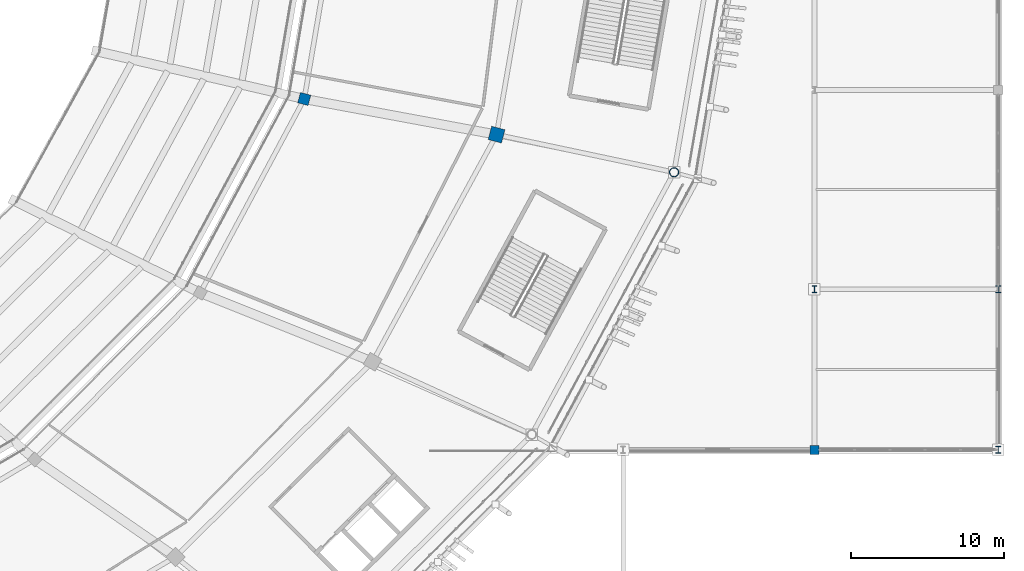
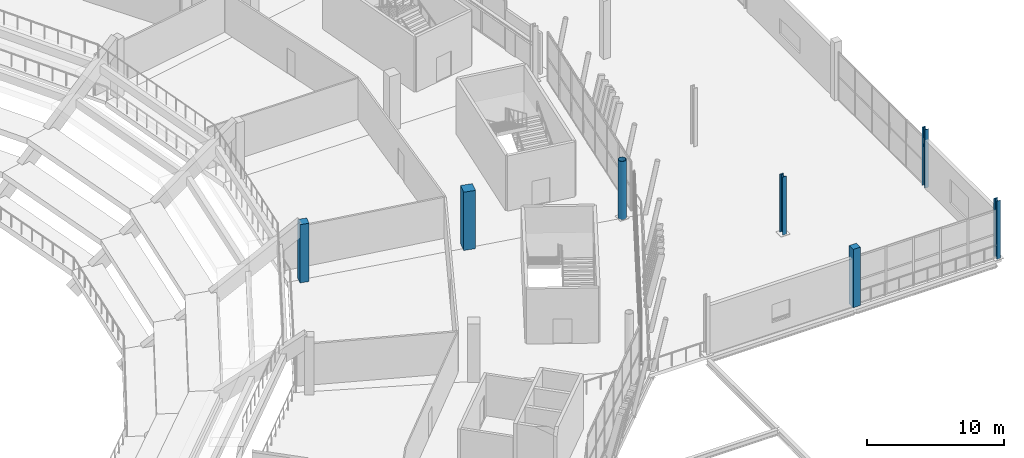
# One storey, part 14 of 178: 7 columns.
"""IFC4 building model written with IfcOpenShell, lengths in metres."""

from ifc_helpers import new_model, si_unit, direction, frame, origin, origin_2d, place, context, subcontext, project, spatial, rectangle, hollow_circle, i_section, extrude, material, material_profile, profile_set, type_object, element, save


model = new_model("IFC4")

# Units and contexts
model_context = context("Model", 3, precision=1e-05, world=origin(), true_north=direction((0.0, 1.0)))
body_context = subcontext(model_context, "Body", "Model", "MODEL_VIEW")
ifc_project = project(units=[si_unit("LENGTHUNIT", "METRE"), si_unit("AREAUNIT", "SQUARE_METRE"), si_unit("VOLUMEUNIT", "CUBIC_METRE"), si_unit("PLANEANGLEUNIT", "RADIAN"), si_unit("MASSUNIT", "GRAM", prefix="KILO")], contexts=[model_context])

# Site, building, storey
site_placement = place(None, origin())
site = spatial("IfcSite", under=ifc_project, at=site_placement, CompositionType="ELEMENT")
building_placement = place(site_placement, origin())
building = spatial("IfcBuilding", under=site, at=building_placement, Name="Zlatoyarsky Gate Stadium", CompositionType="ELEMENT")
storey_placement = place(building_placement, frame((0.0, 0.0, 5.39990234375)))
storey = spatial("IfcBuildingStorey", under=building, at=storey_placement, Name="L01", CompositionType="ELEMENT", Elevation=5.39990234375)

# Columns
ifc_material_1 = material(Name="Concrete C40/50", Category="concrete")
ifc_material_profile_1 = material_profile(ifc_material_1, rectangle(XDim=0.60009765625, YDim=0.60009765625, at=origin_2d()), Name="RC COL 600X600")
ifc_profile_set_1 = profile_set([ifc_material_profile_1], Name="Concrete C40/50")
column_type_1 = type_object("IfcColumnType", Name="CONCRETE COLUMN 600X600", PredefinedType="COLUMN", material=ifc_profile_set_1)
column_1_placement = place(storey_placement, frame((210.0, 43.5, 0.0), z_axis=(0.0, 0.0, 1.0), x_axis=(1.0, 0.0, 0.0)))
element("IfcColumn", 1, at=column_1_placement, inside=storey, type_object=column_type_1, Name="Column RC-C60 WG-18-E on L01", PredefinedType="COLUMN", context=body_context, shape_type="SweptSolid", body=[
    extrude(rectangle(XDim=0.60009765625, YDim=0.60009765625, at=origin_2d()), origin(), (0.0, 0.0, 1.0), 5.2001953125),
])
ifc_material_profile_2 = material_profile(ifc_material_1, rectangle(XDim=0.699951171875, YDim=0.699951171875, at=origin_2d()), Name="RC COL 700X700")
ifc_profile_set_2 = profile_set([ifc_material_profile_2], Name="Concrete C40/50")
column_type_2 = type_object("IfcColumnType", Name="CONCRETE COLUMN 700X700", PredefinedType="COLUMN", material=ifc_profile_set_2)
column_2_placement = place(storey_placement, frame((176.68310546875, 66.412109375, 0.0), z_axis=(0.0, 0.0, 1.0), x_axis=(0.965925826289, -0.258819045103, 0.0)))
element("IfcColumn", 2, at=column_2_placement, inside=storey, type_object=column_type_2, Name="Column RC-C70 RA-23 on L01", PredefinedType="COLUMN", context=body_context, shape_type="SweptSolid", body=[
    extrude(rectangle(XDim=0.699951171875, YDim=0.699951171875, at=origin_2d()), origin(), (0.0, 0.0, 1.0), 5.2001953125),
])
ifc_material_profile_3 = material_profile(ifc_material_1, rectangle(XDim=0.89990234375, YDim=0.89990234375, at=origin_2d()), Name="RC COL 900X900")
ifc_profile_set_3 = profile_set([ifc_material_profile_3], Name="Concrete C40/50")
column_type_3 = type_object("IfcColumnType", Name="CONCRETE COLUMN 900X900", PredefinedType="COLUMN", material=ifc_profile_set_3)
column_3_placement = place(storey_placement, frame((189.239990234375, 64.08251953125, 0.0), z_axis=(0.0, 0.0, 1.0), x_axis=(0.965925826289, -0.258819045103, 0.0)))
element("IfcColumn", 3, at=column_3_placement, inside=storey, type_object=column_type_3, Name="Column RC-C90 RB-23 on L01", PredefinedType="COLUMN", context=body_context, shape_type="SweptSolid", body=[
    extrude(rectangle(XDim=0.89990234375, YDim=0.89990234375, at=origin_2d()), origin(), (0.0, 0.0, 1.0), 5.2001953125),
])
ifc_material_2 = material(Name="Steel S355", Category="steel")
ifc_material_profile_4 = material_profile(ifc_material_2, i_section(OverallWidth=0.300048828125, OverallDepth=0.449951171875, WebThickness=0.013916015625, FlangeThickness=0.02587890625, FilletRadius=0.027099609375, at=origin_2d()), Name="HEB 450")
ifc_profile_set_4 = profile_set([ifc_material_profile_4], Name="Steel S355")
column_type_4 = type_object("IfcColumnType", Name="STEEL COLUMN HEB 450", PredefinedType="COLUMN", material=ifc_profile_set_4)
for number, where, z_axis, x_axis, name in (
    (4, (210.0, 54.0, 0.0), (0.0, 0.0, 1.0), (1.0, 0.0, 0.0), "Column ST-C450 WG-18-F on L01"),
    (5, (222.0, 43.5, 0.0), (0.0, 0.0, 1.0), (1.0, 0.0, 0.0), "Column ST-C450 WG-19-E on L01"),
    (6, (222.0, 54.0, 0.0), (0.0, 0.0, 1.0), (1.0, 0.0, 0.0), "Column ST-C450 WG-19-F on L01"),
):
    element("IfcColumn", number, at=place(storey_placement, frame(where, z_axis=z_axis, x_axis=x_axis)), inside=storey, type_object=column_type_4, Name=name, PredefinedType="COLUMN", context=body_context, shape_type="SweptSolid", body=[
        extrude(i_section(OverallWidth=0.300048828125, OverallDepth=0.449951171875, WebThickness=0.013916015625, FlangeThickness=0.02587890625, FilletRadius=0.027099609375, at=origin_2d()), origin(), (0.0, 0.0, 1.0), 5.2001953125),
    ])
ifc_material_profile_5 = material_profile(ifc_material_2, hollow_circle(Radius=0.304931640625, WallThickness=0.030029296875, at=origin_2d()), Name="CHS 610X30")
ifc_profile_set_5 = profile_set([ifc_material_profile_5], Name="Steel S355")
column_type_5 = type_object("IfcColumnType", Name="STEEL TUBULAR COLUMN CHS 610X30", PredefinedType="COLUMN", material=ifc_profile_set_5)
column_4_placement = place(storey_placement, frame((200.8310546875, 61.623779296875, 0.0), z_axis=(0.0, 0.0, 1.0), x_axis=(0.965925826289, -0.258819045103, 0.0)))
element("IfcColumn", 7, at=column_4_placement, inside=storey, type_object=column_type_5, Name="Column ST-C610 RC-23 on L01", PredefinedType="COLUMN", context=body_context, shape_type="SweptSolid", body=[
    extrude(hollow_circle(Radius=0.304931640625, WallThickness=0.030029296875, at=origin_2d()), origin(), (0.0, 0.0, 1.0), 5.2001953125),
])

save(model, "model.ifc")
